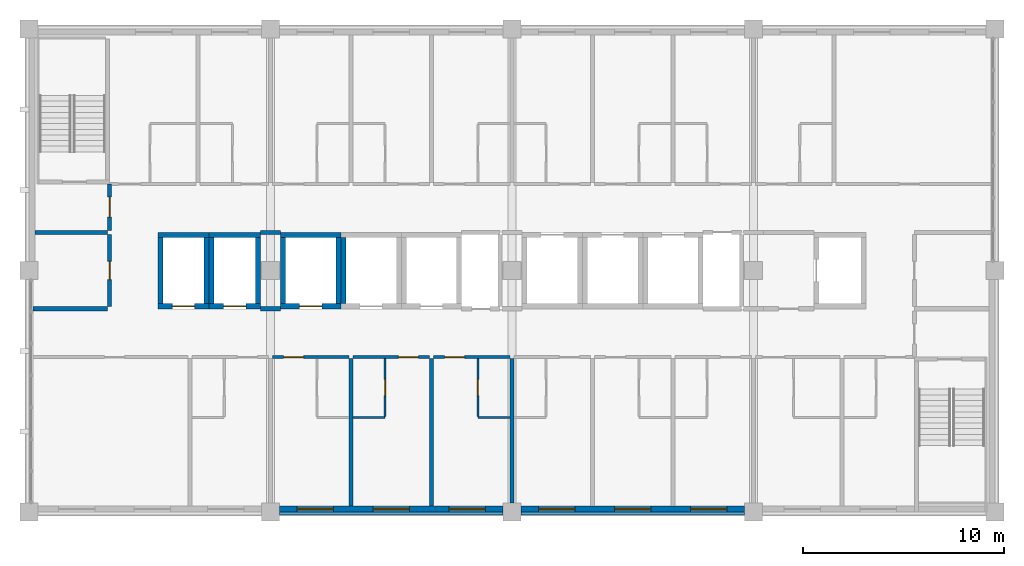
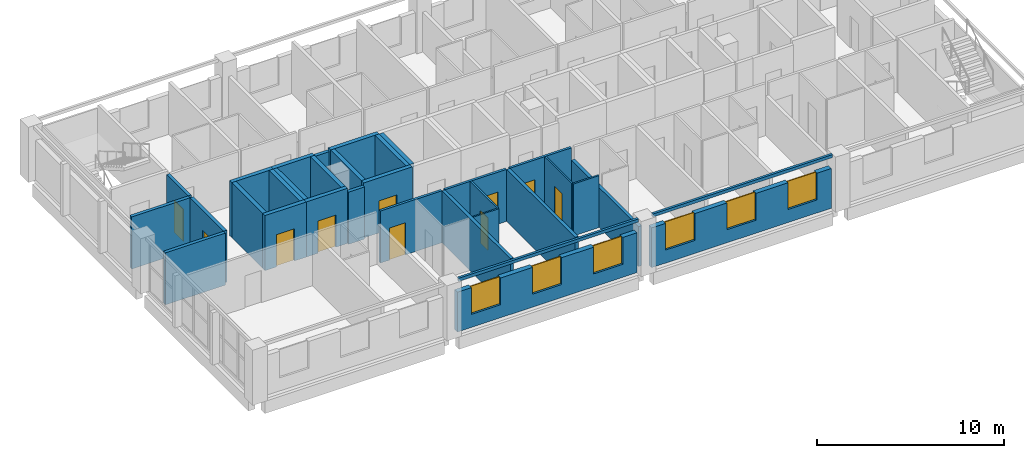
# One storey, part 6 of 11: 33 walls, 10 doors, 6 windows, 16 openings.
"""IFC4 building model written with IfcOpenShell, lengths in metres."""

from ifc_helpers import new_model, si_unit, direction, frame, frame_2d, origin, place, context, subcontext, project, spatial, rectangle, extrude, material, layer, layer_set, type_object, element, fill, save


model = new_model("IFC4")

# Units and contexts
model_context = context("Model", 3, precision=1e-05, world=origin(), true_north=direction((0.0, 1.0)))
body_context = subcontext(model_context, "Body", "Model", "MODEL_VIEW")
ifc_project = project(units=[si_unit("LENGTHUNIT", "METRE"), si_unit("AREAUNIT", "SQUARE_METRE"), si_unit("VOLUMEUNIT", "CUBIC_METRE"), si_unit("PLANEANGLEUNIT", "RADIAN"), si_unit("MASSUNIT", "GRAM", prefix="KILO")], contexts=[model_context])

# Site, building, storey
site_placement = place(None, origin())
site = spatial("IfcSite", under=ifc_project, at=site_placement, CompositionType="ELEMENT")
building_placement = place(site_placement, origin())
building = spatial("IfcBuilding", under=site, at=building_placement, Name="Lilac Gate Convention Centre", CompositionType="ELEMENT")
storey_placement = place(building_placement, frame((0.0, 0.0, 28.199951171875)))
storey = spatial("IfcBuildingStorey", under=building, at=storey_placement, Name="L06", CompositionType="ELEMENT", Elevation=28.199951171875)

# Wall, opening, door
ifc_material_1 = material(Name="Concrete C60", Category="concrete")
ifc_layer_1 = layer(ifc_material_1, 0.25)
ifc_layer_set_1 = layer_set([ifc_layer_1], Name="Concrete C60")
wall_type_1 = type_object("IfcWallType", Name="Core wall 250 C60", PredefinedType="SHEAR", material=ifc_layer_set_1)
wall_1_placement = place(storey_placement, frame((54.5, 232.22509765625, 0.0), z_axis=(0.0, 0.0, 1.0), x_axis=(1.0, 0.0, 0.0)))
wall_1 = element("IfcWall", 1, at=wall_1_placement, inside=storey, type_object=wall_type_1, Name="CRW3 core wall TC L06 1", PredefinedType="SHEAR", context=body_context, shape_type="SweptSolid", body=[
    extrude(rectangle(XDim=3.0, YDim=0.25, at=frame_2d((1.5, 0.0))), origin(), (0.0, 0.0, 1.0), 3.60009765625),
])
opening_1_placement = place(wall_1_placement, frame((0.949951171875, 0.0, 0.0)))
opening_1 = element("IfcOpeningElement", 2, at=opening_1_placement, cuts=wall_1, Name="Opening T04-046", PredefinedType="OPENING", context=body_context, shape_type="SweptSolid", body=[
    extrude(rectangle(XDim=1.10009765625, YDim=2.10009765625, at=frame_2d((0.550048828125, 1.050048828125))), frame((0.0, 0.135009765625, 0.0), z_axis=(0.0, -1.0, 0.0), x_axis=(1.0, 0.0, 0.0)), (0.0, 0.0, 1.0), 0.27001953125),
])
ifc_material_2 = material(Name="Stainless steel 304", Category="steel")
door_type_1 = type_object("IfcDoorType", Name="Lift landing door 1100", OperationType="SLIDING_TO_LEFT", PredefinedType="DOOR", material=ifc_material_2)
door_1_placement = place(opening_1_placement, origin())
door_1 = element("IfcDoor", 3, at=door_1_placement, inside=storey, type_object=door_type_1, Name="Lift landing door TP1 L06", OperationType="SLIDING_TO_LEFT", OverallHeight=2.10009765625, OverallWidth=1.10009765625, PredefinedType="DOOR", context=body_context, shape_type="SweptSolid", body=[
    extrude(rectangle(XDim=1.10009765625, YDim=2.10009765625, at=frame_2d((0.550048828125, 1.050048828125))), frame((0.0, 0.02490234375, 0.0), z_axis=(0.0, -1.0, 0.0), x_axis=(1.0, 0.0, 0.0)), (0.0, 0.0, 1.0), 0.050048828125),
])
fill(opening_1, door_1)

# Walls
wall_2_placement = place(storey_placement, frame((54.5, 235.77490234375, 0.0), z_axis=(0.0, 0.0, 1.0), x_axis=(1.0, 0.0, 0.0)))
element("IfcWall", 4, at=wall_2_placement, inside=storey, type_object=wall_type_1, Name="CRW3 core wall TC L06 2", PredefinedType="SHEAR", context=body_context, shape_type="SweptSolid", body=[
    extrude(rectangle(XDim=3.0, YDim=0.25, at=frame_2d((1.5, 0.0))), origin(), (0.0, 0.0, 1.0), 3.60009765625),
])
for number, where, z_axis, x_axis, name in (
    (5, (54.625, 232.35009765625, 0.0), (0.0, 0.0, 1.0), (0.0, 1.0, 0.0), "CRW3 core wall TC L06 3"),
    (6, (57.375, 232.35009765625, 0.0), (0.0, 0.0, 1.0), (0.0, 1.0, 0.0), "CRW3 core wall TC L06 4"),
    (7, (57.625, 232.35009765625, 0.0), (0.0, 0.0, 1.0), (0.0, 1.0, 0.0), "CRW3 core wall TC L06 7"),
):
    element("IfcWall", number, at=place(storey_placement, frame(where, z_axis=z_axis, x_axis=x_axis)), inside=storey, type_object=wall_type_1, Name=name, PredefinedType="SHEAR", context=body_context, shape_type="SweptSolid", body=[
        extrude(rectangle(XDim=3.2998046875, YDim=0.25, at=frame_2d((1.64990234375, 0.0))), origin(), (0.0, 0.0, 1.0), 3.60009765625),
    ])

# Wall, opening, door
wall_3_placement = place(storey_placement, frame((48.39990234375, 232.22509765625, 0.0), z_axis=(0.0, 0.0, 1.0), x_axis=(1.0, 0.0, 0.0)))
wall_3 = element("IfcWall", 8, at=wall_3_placement, inside=storey, type_object=wall_type_1, Name="CRW3 core wall TC L06 25", PredefinedType="SHEAR", context=body_context, shape_type="SweptSolid", body=[
    extrude(rectangle(XDim=2.550048828125, YDim=0.25, at=frame_2d((1.27490234375, 0.0))), origin(), (0.0, 0.0, 1.0), 3.60009765625),
])
opening_2_placement = place(wall_3_placement, frame((0.72509765625, 0.0, 0.0)))
opening_2 = element("IfcOpeningElement", 9, at=opening_2_placement, cuts=wall_3, Name="Opening T04-052", PredefinedType="OPENING", context=body_context, shape_type="SweptSolid", body=[
    extrude(rectangle(XDim=1.10009765625, YDim=2.10009765625, at=frame_2d((0.550048828125, 1.050048828125))), frame((0.0, 0.135009765625, 0.0), z_axis=(0.0, -1.0, 0.0), x_axis=(1.0, 0.0, 0.0)), (0.0, 0.0, 1.0), 0.27001953125),
])
door_2_placement = place(opening_2_placement, origin())
door_2 = element("IfcDoor", 10, at=door_2_placement, inside=storey, type_object=door_type_1, Name="Lift landing door TS1 L06", OperationType="SLIDING_TO_LEFT", OverallHeight=2.10009765625, OverallWidth=1.10009765625, PredefinedType="DOOR", context=body_context, shape_type="SweptSolid", body=[
    extrude(rectangle(XDim=1.10009765625, YDim=2.10009765625, at=frame_2d((0.550048828125, 1.050048828125))), frame((0.0, 0.02490234375, 0.0), z_axis=(0.0, -1.0, 0.0), x_axis=(1.0, 0.0, 0.0)), (0.0, 0.0, 1.0), 0.050048828125),
])
fill(opening_2, door_2)

# Walls
wall_4_placement = place(storey_placement, frame((48.39990234375, 235.77490234375, 0.0), z_axis=(0.0, 0.0, 1.0), x_axis=(1.0, 0.0, 0.0)))
element("IfcWall", 11, at=wall_4_placement, inside=storey, type_object=wall_type_1, Name="CRW3 core wall TC L06 26", PredefinedType="SHEAR", context=body_context, shape_type="SweptSolid", body=[
    extrude(rectangle(XDim=2.550048828125, YDim=0.25, at=frame_2d((1.27490234375, 0.0))), origin(), (0.0, 0.0, 1.0), 3.60009765625),
])
for number, where, z_axis, x_axis, name in (
    (12, (48.52490234375, 232.35009765625, 0.0), (0.0, 0.0, 1.0), (0.0, 1.0, 0.0), "CRW3 core wall TC L06 27"),
    (13, (50.824951171875, 232.35009765625, 0.0), (0.0, 0.0, 1.0), (0.0, 1.0, 0.0), "CRW3 core wall TC L06 28"),
):
    element("IfcWall", number, at=place(storey_placement, frame(where, z_axis=z_axis, x_axis=x_axis)), inside=storey, type_object=wall_type_1, Name=name, PredefinedType="SHEAR", context=body_context, shape_type="SweptSolid", body=[
        extrude(rectangle(XDim=3.2998046875, YDim=0.25, at=frame_2d((1.64990234375, 0.0))), origin(), (0.0, 0.0, 1.0), 3.60009765625),
    ])

# Wall, opening, door
wall_5_placement = place(storey_placement, frame((50.949951171875, 232.22509765625, 0.0), z_axis=(0.0, 0.0, 1.0), x_axis=(1.0, 0.0, 0.0)))
wall_5 = element("IfcWall", 14, at=wall_5_placement, inside=storey, type_object=wall_type_1, Name="CRW3 core wall TC L06 29", PredefinedType="SHEAR", context=body_context, shape_type="SweptSolid", body=[
    extrude(rectangle(XDim=2.550048828125, YDim=0.25, at=frame_2d((1.27490234375, 0.0))), origin(), (0.0, 0.0, 1.0), 3.60009765625),
])
opening_3_placement = place(wall_5_placement, frame((0.72509765625, 0.0, 0.0)))
opening_3 = element("IfcOpeningElement", 15, at=opening_3_placement, cuts=wall_5, Name="Opening T04-053", PredefinedType="OPENING", context=body_context, shape_type="SweptSolid", body=[
    extrude(rectangle(XDim=1.10009765625, YDim=2.10009765625, at=frame_2d((0.550048828125, 1.050048828125))), frame((0.0, 0.135009765625, 0.0), z_axis=(0.0, -1.0, 0.0), x_axis=(1.0, 0.0, 0.0)), (0.0, 0.0, 1.0), 0.27001953125),
])
door_3_placement = place(opening_3_placement, origin())
door_3 = element("IfcDoor", 16, at=door_3_placement, inside=storey, type_object=door_type_1, Name="Lift landing door TS2 L06", OperationType="SLIDING_TO_LEFT", OverallHeight=2.10009765625, OverallWidth=1.10009765625, PredefinedType="DOOR", context=body_context, shape_type="SweptSolid", body=[
    extrude(rectangle(XDim=1.10009765625, YDim=2.10009765625, at=frame_2d((0.550048828125, 1.050048828125))), frame((0.0, 0.02490234375, 0.0), z_axis=(0.0, -1.0, 0.0), x_axis=(1.0, 0.0, 0.0)), (0.0, 0.0, 1.0), 0.050048828125),
])
fill(opening_3, door_3)

# Walls
wall_6_placement = place(storey_placement, frame((50.949951171875, 235.77490234375, 0.0), z_axis=(0.0, 0.0, 1.0), x_axis=(1.0, 0.0, 0.0)))
element("IfcWall", 17, at=wall_6_placement, inside=storey, type_object=wall_type_1, Name="CRW3 core wall TC L06 30", PredefinedType="SHEAR", context=body_context, shape_type="SweptSolid", body=[
    extrude(rectangle(XDim=2.550048828125, YDim=0.25, at=frame_2d((1.27490234375, 0.0))), origin(), (0.0, 0.0, 1.0), 3.60009765625),
])
for number, where, z_axis, x_axis, name in (
    (18, (51.074951171875, 232.35009765625, 0.0), (0.0, 0.0, 1.0), (0.0, 1.0, 0.0), "CRW3 core wall TC L06 31"),
    (19, (53.375, 232.35009765625, 0.0), (0.0, 0.0, 1.0), (0.0, 1.0, 0.0), "CRW3 core wall TC L06 32"),
):
    element("IfcWall", number, at=place(storey_placement, frame(where, z_axis=z_axis, x_axis=x_axis)), inside=storey, type_object=wall_type_1, Name=name, PredefinedType="SHEAR", context=body_context, shape_type="SweptSolid", body=[
        extrude(rectangle(XDim=3.2998046875, YDim=0.25, at=frame_2d((1.64990234375, 0.0))), origin(), (0.0, 0.0, 1.0), 3.60009765625),
    ])

# Wall, opening, door
ifc_material_3 = material(Name="Gypsum board on steel stud", Category="steel")
ifc_layer_2 = layer(ifc_material_3, 0.14990234375)
ifc_layer_set_2 = layer_set([ifc_layer_2], Name="Gypsum board on steel stud")
wall_type_2 = type_object("IfcWallType", Name="Corridor wall 150", PredefinedType="PARTITIONING", material=ifc_layer_set_2)
wall_7_placement = place(storey_placement, frame((57.89990234375, 229.699951171875, 0.0), z_axis=(0.0, 0.0, 1.0), x_axis=(-1.0, 0.0, 0.0)))
wall_7 = element("IfcWall", 20, at=wall_7_placement, inside=storey, type_object=wall_type_2, Name="Corridor wall 150 front 0603", PredefinedType="PARTITIONING", context=body_context, shape_type="SweptSolid", body=[
    extrude(rectangle(XDim=3.7998046875, YDim=0.14990234375, at=frame_2d((1.89990234375, 0.0))), origin(), (0.0, 0.0, 1.0), 3.400146484375),
])
opening_4_placement = place(wall_7_placement, frame((2.25, 0.0, 0.0)))
opening_4 = element("IfcOpeningElement", 21, at=opening_4_placement, cuts=wall_7, Name="Opening T04-011", PredefinedType="OPENING", context=body_context, shape_type="SweptSolid", body=[
    extrude(rectangle(XDim=1.0, YDim=2.10009765625, at=frame_2d((0.5, 1.050048828125))), frame((0.0, 0.0849609375, 0.0), z_axis=(0.0, -1.0, 0.0), x_axis=(1.0, 0.0, 0.0)), (0.0, 0.0, 1.0), 0.169921875),
])
ifc_material_4 = material(Name="Timber", Category="wood")
door_type_2 = type_object("IfcDoorType", Name="Guest room entrance door 1000", OperationType="SINGLE_SWING_LEFT", PredefinedType="DOOR", material=ifc_material_4)
door_4_placement = place(opening_4_placement, origin())
door_4 = element("IfcDoor", 22, at=door_4_placement, inside=storey, type_object=door_type_2, Name="Guest room door 0603", OperationType="SINGLE_SWING_RIGHT", OverallHeight=2.10009765625, OverallWidth=1.0, PredefinedType="DOOR", context=body_context, shape_type="SweptSolid", body=[
    extrude(rectangle(XDim=1.0, YDim=2.10009765625, at=frame_2d((0.5, 1.050048828125))), frame((0.0, 0.02490234375, 0.0), z_axis=(0.0, -1.0, 0.0), x_axis=(1.0, 0.0, 0.0)), (0.0, 0.0, 1.0), 0.050048828125),
])
fill(opening_4, door_4)

wall_8_placement = place(storey_placement, frame((61.89990234375, 229.699951171875, 0.0), z_axis=(0.0, 0.0, 1.0), x_axis=(-1.0, 0.0, 0.0)))
wall_8 = element("IfcWall", 23, at=wall_8_placement, inside=storey, type_object=wall_type_2, Name="Corridor wall 150 front 0604", PredefinedType="PARTITIONING", context=body_context, shape_type="SweptSolid", body=[
    extrude(rectangle(XDim=3.7998046875, YDim=0.14990234375, at=frame_2d((1.89990234375, 0.0))), origin(), (0.0, 0.0, 1.0), 3.400146484375),
])
opening_5_placement = place(wall_8_placement, frame((0.550048828125, 0.0, 0.0)))
opening_5 = element("IfcOpeningElement", 24, at=opening_5_placement, cuts=wall_8, Name="Opening T04-013", PredefinedType="OPENING", context=body_context, shape_type="SweptSolid", body=[
    extrude(rectangle(XDim=1.0, YDim=2.10009765625, at=frame_2d((0.5, 1.050048828125))), frame((0.0, 0.0849609375, 0.0), z_axis=(0.0, -1.0, 0.0), x_axis=(1.0, 0.0, 0.0)), (0.0, 0.0, 1.0), 0.169921875),
])
door_5_placement = place(opening_5_placement, origin())
door_5 = element("IfcDoor", 25, at=door_5_placement, inside=storey, type_object=door_type_2, Name="Guest room door 0604", OperationType="SINGLE_SWING_LEFT", OverallHeight=2.10009765625, OverallWidth=1.0, PredefinedType="DOOR", context=body_context, shape_type="SweptSolid", body=[
    extrude(rectangle(XDim=1.0, YDim=2.10009765625, at=frame_2d((0.5, 1.050048828125))), frame((0.0, 0.02490234375, 0.0), z_axis=(0.0, -1.0, 0.0), x_axis=(1.0, 0.0, 0.0)), (0.0, 0.0, 1.0), 0.050048828125),
])
fill(opening_5, door_5)

wall_9_placement = place(storey_placement, frame((65.89990234375, 229.699951171875, 0.0), z_axis=(0.0, 0.0, 1.0), x_axis=(-1.0, 0.0, 0.0)))
wall_9 = element("IfcWall", 26, at=wall_9_placement, inside=storey, type_object=wall_type_2, Name="Corridor wall 150 front 0605", PredefinedType="PARTITIONING", context=body_context, shape_type="SweptSolid", body=[
    extrude(rectangle(XDim=3.7998046875, YDim=0.14990234375, at=frame_2d((1.89990234375, 0.0))), origin(), (0.0, 0.0, 1.0), 3.400146484375),
])
opening_6_placement = place(wall_9_placement, frame((2.25, 0.0, 0.0)))
opening_6 = element("IfcOpeningElement", 27, at=opening_6_placement, cuts=wall_9, Name="Opening T04-015", PredefinedType="OPENING", context=body_context, shape_type="SweptSolid", body=[
    extrude(rectangle(XDim=1.0, YDim=2.10009765625, at=frame_2d((0.5, 1.050048828125))), frame((0.0, 0.0849609375, 0.0), z_axis=(0.0, -1.0, 0.0), x_axis=(1.0, 0.0, 0.0)), (0.0, 0.0, 1.0), 0.169921875),
])
door_6_placement = place(opening_6_placement, origin())
door_6 = element("IfcDoor", 28, at=door_6_placement, inside=storey, type_object=door_type_2, Name="Guest room door 0605", OperationType="SINGLE_SWING_LEFT", OverallHeight=2.10009765625, OverallWidth=1.0, PredefinedType="DOOR", context=body_context, shape_type="SweptSolid", body=[
    extrude(rectangle(XDim=1.0, YDim=2.10009765625, at=frame_2d((0.5, 1.050048828125))), frame((0.0, 0.02490234375, 0.0), z_axis=(0.0, -1.0, 0.0), x_axis=(1.0, 0.0, 0.0)), (0.0, 0.0, 1.0), 0.050048828125),
])
fill(opening_6, door_6)

# Wall
ifc_layer_3 = layer(ifc_material_3, 0.10009765625)
ifc_layer_set_3 = layer_set([ifc_layer_3], Name="Gypsum board on steel stud")
wall_type_3 = type_object("IfcWallType", Name="En-suite wall 100", PredefinedType="PARTITIONING", material=ifc_layer_set_3)
wall_10_placement = place(storey_placement, frame((58.10009765625, 226.699951171875, 0.0), z_axis=(0.0, 0.0, 1.0), x_axis=(1.0, 0.0, 0.0)))
element("IfcWall", 29, at=wall_10_placement, inside=storey, type_object=wall_type_3, Name="En-suite wall 100 bath 0604", PredefinedType="PARTITIONING", context=body_context, shape_type="SweptSolid", body=[
    extrude(rectangle(XDim=1.599853515625, YDim=0.10009765625, at=frame_2d((0.7998046875, 0.0))), origin(), (0.0, 0.0, 1.0), 3.400146484375),
])

# Wall, opening, door
wall_11_placement = place(storey_placement, frame((59.699951171875, 229.625, 0.0), z_axis=(0.0, 0.0, 1.0), x_axis=(0.0, -1.0, 0.0)))
wall_11 = element("IfcWall", 30, at=wall_11_placement, inside=storey, type_object=wall_type_3, Name="En-suite wall 100 bath side 0604", PredefinedType="PARTITIONING", context=body_context, shape_type="SweptSolid", body=[
    extrude(rectangle(XDim=2.875, YDim=0.10009765625, at=frame_2d((1.4375, 0.0))), origin(), (0.0, 0.0, 1.0), 3.400146484375),
])
opening_7_placement = place(wall_11_placement, frame((1.03759765625, 0.0, 0.0)))
opening_7 = element("IfcOpeningElement", 31, at=opening_7_placement, cuts=wall_11, Name="Opening T04-014", PredefinedType="OPENING", context=body_context, shape_type="SweptSolid", body=[
    extrude(rectangle(XDim=0.800048828125, YDim=2.10009765625, at=frame_2d((0.39990234375, 1.050048828125))), frame((0.0, 0.06005859375, 0.0), z_axis=(0.0, -1.0, 0.0), x_axis=(1.0, 0.0, 0.0)), (0.0, 0.0, 1.0), 0.1201171875),
])
door_type_3 = type_object("IfcDoorType", Name="En-suite door 800", OperationType="SINGLE_SWING_LEFT", PredefinedType="DOOR", material=ifc_material_4)
door_7_placement = place(opening_7_placement, origin())
door_7 = element("IfcDoor", 32, at=door_7_placement, inside=storey, type_object=door_type_3, Name="En-suite door 0604", OperationType="SINGLE_SWING_LEFT", OverallHeight=2.10009765625, OverallWidth=0.800048828125, PredefinedType="DOOR", context=body_context, shape_type="SweptSolid", body=[
    extrude(rectangle(XDim=0.800048828125, YDim=2.10009765625, at=frame_2d((0.39990234375, 1.050048828125))), frame((0.0, 0.02490234375, 0.0), z_axis=(0.0, -1.0, 0.0), x_axis=(1.0, 0.0, 0.0)), (0.0, 0.0, 1.0), 0.050048828125),
])
fill(opening_7, door_7)

# Wall
wall_12_placement = place(storey_placement, frame((64.300048828125, 226.699951171875, 0.0), z_axis=(0.0, 0.0, 1.0), x_axis=(1.0, 0.0, 0.0)))
element("IfcWall", 33, at=wall_12_placement, inside=storey, type_object=wall_type_3, Name="En-suite wall 100 bath 0605", PredefinedType="PARTITIONING", context=body_context, shape_type="SweptSolid", body=[
    extrude(rectangle(XDim=1.599853515625, YDim=0.10009765625, at=frame_2d((0.7998046875, 0.0))), origin(), (0.0, 0.0, 1.0), 3.400146484375),
])

# Wall, opening, door
wall_13_placement = place(storey_placement, frame((64.300048828125, 226.75, 0.0), z_axis=(0.0, 0.0, 1.0), x_axis=(0.0, 1.0, 0.0)))
wall_13 = element("IfcWall", 34, at=wall_13_placement, inside=storey, type_object=wall_type_3, Name="En-suite wall 100 bath side 0605", PredefinedType="PARTITIONING", context=body_context, shape_type="SweptSolid", body=[
    extrude(rectangle(XDim=2.875, YDim=0.10009765625, at=frame_2d((1.4375, 0.0))), origin(), (0.0, 0.0, 1.0), 3.400146484375),
])
opening_8_placement = place(wall_13_placement, frame((1.03759765625, 0.0, 0.0)))
opening_8 = element("IfcOpeningElement", 35, at=opening_8_placement, cuts=wall_13, Name="Opening T04-016", PredefinedType="OPENING", context=body_context, shape_type="SweptSolid", body=[
    extrude(rectangle(XDim=0.800048828125, YDim=2.10009765625, at=frame_2d((0.39990234375, 1.050048828125))), frame((0.0, 0.06005859375, 0.0), z_axis=(0.0, -1.0, 0.0), x_axis=(1.0, 0.0, 0.0)), (0.0, 0.0, 1.0), 0.1201171875),
])
door_8_placement = place(opening_8_placement, origin())
door_8 = element("IfcDoor", 36, at=door_8_placement, inside=storey, type_object=door_type_3, Name="En-suite door 0605", OperationType="SINGLE_SWING_RIGHT", OverallHeight=2.10009765625, OverallWidth=0.800048828125, PredefinedType="DOOR", context=body_context, shape_type="SweptSolid", body=[
    extrude(rectangle(XDim=0.800048828125, YDim=2.10009765625, at=frame_2d((0.39990234375, 1.050048828125))), frame((0.0, 0.02490234375, 0.0), z_axis=(0.0, -1.0, 0.0), x_axis=(1.0, 0.0, 0.0)), (0.0, 0.0, 1.0), 0.050048828125),
])
fill(opening_8, door_8)

# Walls
ifc_layer_4 = layer(ifc_material_3, 0.199951171875)
ifc_layer_set_4 = layer_set([ifc_layer_4], Name="Gypsum board on steel stud")
wall_type_4 = type_object("IfcWallType", Name="Guest room party wall 200", PredefinedType="PARTITIONING", material=ifc_layer_set_4)
for number, where, z_axis, x_axis, name in (
    (37, (58.0, 222.2998046875, 0.0), (0.0, 0.0, 1.0), (0.0, 1.0, 0.0), "Guest room party wall 200 party 58.0"),
    (38, (62.0, 222.2998046875, 0.0), (0.0, 0.0, 1.0), (0.0, 1.0, 0.0), "Guest room party wall 200 party 62.0"),
):
    element("IfcWall", number, at=place(storey_placement, frame(where, z_axis=z_axis, x_axis=x_axis)), inside=storey, type_object=wall_type_4, Name=name, PredefinedType="PARTITIONING", context=body_context, shape_type="SweptSolid", body=[
        extrude(rectangle(XDim=7.3251953125, YDim=0.199951171875, at=frame_2d((3.66259765625, 0.0))), origin(), (0.0, 0.0, 1.0), 3.400146484375),
    ])
wall_14_placement = place(storey_placement, frame((66.0, 222.449951171875, 0.0), z_axis=(0.0, 0.0, 1.0), x_axis=(0.0, 1.0, 0.0)))
element("IfcWall", 39, at=wall_14_placement, inside=storey, type_object=wall_type_4, Name="Guest room party wall 200 party 66.0", PredefinedType="PARTITIONING", context=body_context, shape_type="SweptSolid", body=[
    extrude(rectangle(XDim=7.175048828125, YDim=0.199951171875, at=frame_2d((3.58740234375, 0.0))), origin(), (0.0, 0.0, 1.0), 2.60009765625),
])

# Wall, opening, door
ifc_layer_5 = layer(ifc_material_3, 0.199951171875)
ifc_layer_set_5 = layer_set([ifc_layer_5], Name="Gypsum board on steel stud")
wall_type_5 = type_object("IfcWallType", Name="Lobby wall 200", PredefinedType="PARTITIONING", material=ifc_layer_set_5)
wall_15_placement = place(storey_placement, frame((46.0, 236.0, 0.0), z_axis=(0.0, 0.0, 1.0), x_axis=(0.0, 1.0, 0.0)))
wall_15 = element("IfcWall", 40, at=wall_15_placement, inside=storey, type_object=wall_type_5, Name="Lobby wall 200 STL-NW-E", PredefinedType="PARTITIONING", context=body_context, shape_type="SweptSolid", body=[
    extrude(rectangle(XDim=2.300048828125, YDim=0.199951171875, at=frame_2d((1.14990234375, 0.0))), origin(), (0.0, 0.0, 1.0), 3.400146484375),
])
opening_9_placement = place(wall_15_placement, frame((0.64990234375, 0.0, 0.0)))
opening_9 = element("IfcOpeningElement", 41, at=opening_9_placement, cuts=wall_15, Name="Opening T04-006", PredefinedType="OPENING", context=body_context, shape_type="SweptSolid", body=[
    extrude(rectangle(XDim=1.0, YDim=2.10009765625, at=frame_2d((0.5, 1.050048828125))), frame((0.0, 0.10986328125, 0.0), z_axis=(0.0, -1.0, 0.0), x_axis=(1.0, 0.0, 0.0)), (0.0, 0.0, 1.0), 0.219970703125),
])
ifc_material_5 = material(Name="Steel Q235B", Category="steel")
door_type_4 = type_object("IfcDoorType", Name="Lobby door 1000", OperationType="SINGLE_SWING_LEFT", PredefinedType="DOOR", material=ifc_material_5)
door_9_placement = place(opening_9_placement, origin())
door_9 = element("IfcDoor", 42, at=door_9_placement, inside=storey, type_object=door_type_4, Name="Stair lobby door NW", OperationType="SINGLE_SWING_LEFT", OverallHeight=2.10009765625, OverallWidth=1.0, PredefinedType="DOOR", context=body_context, shape_type="SweptSolid", body=[
    extrude(rectangle(XDim=1.0, YDim=2.10009765625, at=frame_2d((0.5, 1.050048828125))), frame((0.0, 0.02490234375, 0.0), z_axis=(0.0, -1.0, 0.0), x_axis=(1.0, 0.0, 0.0)), (0.0, 0.0, 1.0), 0.050048828125),
])
fill(opening_9, door_9)

# Walls
ifc_material_6 = material(Name="Concrete C40 precast", Category="concrete")
ifc_layer_6 = layer(ifc_material_6, 0.1298828125)
ifc_material_7 = material(Name="Ochre mineral render")
ifc_layer_7 = layer(ifc_material_7, 0.02001953125)
ifc_layer_set_6 = layer_set([ifc_layer_6, ifc_layer_7], Name="Concrete C40 precast, Ochre mineral render")
wall_type_6 = type_object("IfcWallType", Name="Precast band ochre 150", PredefinedType="STANDARD", material=ifc_layer_set_6)
for number, where, z_axis, x_axis, name in (
    (43, (54.449951171875, 221.925048828125, 3.400146484375), (0.0, 0.0, 1.0), (1.0, 0.0, 0.0), "Precast band S L06 2"),
    (44, (66.449951171875, 221.925048828125, 3.400146484375), (0.0, 0.0, 1.0), (1.0, 0.0, 0.0), "Precast band S L06 3"),
):
    element("IfcWall", number, at=place(storey_placement, frame(where, z_axis=z_axis, x_axis=x_axis)), inside=storey, type_object=wall_type_6, Name=name, PredefinedType="STANDARD", context=body_context, shape_type="SweptSolid", body=[
        extrude(rectangle(XDim=11.10009765625, YDim=0.14990234375, at=frame_2d((5.550048828125, 0.0))), origin(), (0.0, 0.0, 1.0), 0.199951171875),
    ])

# Wall, openings, windows
ifc_layer_8 = layer(ifc_material_7, 0.02001953125)
ifc_layer_9 = layer(ifc_material_6, 0.06005859375)
ifc_material_8 = material(Name="Ventilated air cavity")
ifc_layer_10 = layer(ifc_material_8, 0.030029296875)
ifc_material_9 = material(Name="Mineral wool insulation")
ifc_layer_11 = layer(ifc_material_9, 0.1201171875)
ifc_material_10 = material(Name="Steel stud Q345 and gypsum lining", Category="steel")
ifc_layer_12 = layer(ifc_material_10, 0.070068359375)
ifc_layer_set_7 = layer_set([ifc_layer_8, ifc_layer_9, ifc_layer_10, ifc_layer_11, ifc_layer_12], Name="Ochre mineral render, Concrete C40 precast, Ventilated air cavity, Mineral wool insulation, Steel stud Q345 and gypsum lining")
wall_type_7 = type_object("IfcWallType", Name="Precast panel wall ochre 300", PredefinedType="STANDARD", material=ifc_layer_set_7)
wall_16_placement = place(storey_placement, frame((54.449951171875, 222.14990234375, 0.0), z_axis=(0.0, 0.0, 1.0), x_axis=(1.0, 0.0, 0.0)))
wall_16 = element("IfcWall", 45, at=wall_16_placement, inside=storey, type_object=wall_type_7, Name="External wall S L06 2", PredefinedType="STANDARD", context=body_context, shape_type="SweptSolid", body=[
    extrude(rectangle(XDim=11.10009765625, YDim=0.300048828125, at=frame_2d((5.550048828125, 0.0))), origin(), (0.0, 0.0, 1.0), 2.60009765625),
])
opening_10_placement = place(wall_16_placement, frame((0.875, 0.0, 0.85009765625)))
opening_10 = element("IfcOpeningElement", 46, at=opening_10_placement, cuts=wall_16, Name="Opening W1", PredefinedType="OPENING", context=body_context, shape_type="SweptSolid", body=[
    extrude(rectangle(XDim=1.800048828125, YDim=1.75, at=frame_2d((0.89990234375, 0.875))), frame((0.0, 0.159912109375, 0.0), z_axis=(0.0, -1.0, 0.0), x_axis=(1.0, 0.0, 0.0)), (0.0, 0.0, 1.0), 0.320068359375),
])
opening_11_placement = place(wall_16_placement, frame((4.64990234375, 0.0, 0.85009765625)))
opening_11 = element("IfcOpeningElement", 47, at=opening_11_placement, cuts=wall_16, Name="Opening W1", PredefinedType="OPENING", context=body_context, shape_type="SweptSolid", body=[
    extrude(rectangle(XDim=1.800048828125, YDim=1.75, at=frame_2d((0.89990234375, 0.875))), frame((0.0, 0.159912109375, 0.0), z_axis=(0.0, -1.0, 0.0), x_axis=(1.0, 0.0, 0.0)), (0.0, 0.0, 1.0), 0.320068359375),
])
opening_12_placement = place(wall_16_placement, frame((8.425048828125, 0.0, 0.85009765625)))
opening_12 = element("IfcOpeningElement", 48, at=opening_12_placement, cuts=wall_16, Name="Opening W1", PredefinedType="OPENING", context=body_context, shape_type="SweptSolid", body=[
    extrude(rectangle(XDim=1.800048828125, YDim=1.75, at=frame_2d((0.89990234375, 0.875))), frame((0.0, 0.159912109375, 0.0), z_axis=(0.0, -1.0, 0.0), x_axis=(1.0, 0.0, 0.0)), (0.0, 0.0, 1.0), 0.320068359375),
])
ifc_material_11 = material(Name="Aluminium framed double glazing", Category="aluminium")
window_type = type_object("IfcWindowType", Name="Guest room window 1800 x 1750", PartitioningType="DOUBLE_PANEL_VERTICAL", PredefinedType="WINDOW", material=ifc_material_11)
window_1_placement = place(opening_10_placement, origin())
window_1 = element("IfcWindow", 49, at=window_1_placement, inside=storey, type_object=window_type, Name="Window Guest S L06", OverallHeight=1.75, OverallWidth=1.800048828125, PartitioningType="SINGLE_PANEL", PredefinedType="WINDOW", context=body_context, shape_type="SweptSolid", body=[
    extrude(rectangle(XDim=1.800048828125, YDim=1.75, at=frame_2d((0.89990234375, 0.875))), frame((0.0, 0.030029296875, 0.0), z_axis=(0.0, -1.0, 0.0), x_axis=(1.0, 0.0, 0.0)), (0.0, 0.0, 1.0), 0.06005859375),
])
fill(opening_10, window_1)
window_2_placement = place(opening_11_placement, origin())
window_2 = element("IfcWindow", 50, at=window_2_placement, inside=storey, type_object=window_type, Name="Window Guest S L06", OverallHeight=1.75, OverallWidth=1.800048828125, PartitioningType="SINGLE_PANEL", PredefinedType="WINDOW", context=body_context, shape_type="SweptSolid", body=[
    extrude(rectangle(XDim=1.800048828125, YDim=1.75, at=frame_2d((0.89990234375, 0.875))), frame((0.0, 0.030029296875, 0.0), z_axis=(0.0, -1.0, 0.0), x_axis=(1.0, 0.0, 0.0)), (0.0, 0.0, 1.0), 0.06005859375),
])
fill(opening_11, window_2)
window_3_placement = place(opening_12_placement, origin())
window_3 = element("IfcWindow", 51, at=window_3_placement, inside=storey, type_object=window_type, Name="Window Guest S L06", OverallHeight=1.75, OverallWidth=1.800048828125, PartitioningType="SINGLE_PANEL", PredefinedType="WINDOW", context=body_context, shape_type="SweptSolid", body=[
    extrude(rectangle(XDim=1.800048828125, YDim=1.75, at=frame_2d((0.89990234375, 0.875))), frame((0.0, 0.030029296875, 0.0), z_axis=(0.0, -1.0, 0.0), x_axis=(1.0, 0.0, 0.0)), (0.0, 0.0, 1.0), 0.06005859375),
])
fill(opening_12, window_3)

wall_17_placement = place(storey_placement, frame((66.449951171875, 222.14990234375, 0.0), z_axis=(0.0, 0.0, 1.0), x_axis=(1.0, 0.0, 0.0)))
wall_17 = element("IfcWall", 52, at=wall_17_placement, inside=storey, type_object=wall_type_7, Name="External wall S L06 3", PredefinedType="STANDARD", context=body_context, shape_type="SweptSolid", body=[
    extrude(rectangle(XDim=11.10009765625, YDim=0.300048828125, at=frame_2d((5.550048828125, 0.0))), origin(), (0.0, 0.0, 1.0), 2.60009765625),
])
opening_13_placement = place(wall_17_placement, frame((0.875, 0.0, 0.85009765625)))
opening_13 = element("IfcOpeningElement", 53, at=opening_13_placement, cuts=wall_17, Name="Opening W1", PredefinedType="OPENING", context=body_context, shape_type="SweptSolid", body=[
    extrude(rectangle(XDim=1.800048828125, YDim=1.75, at=frame_2d((0.89990234375, 0.875))), frame((0.0, 0.159912109375, 0.0), z_axis=(0.0, -1.0, 0.0), x_axis=(1.0, 0.0, 0.0)), (0.0, 0.0, 1.0), 0.320068359375),
])
opening_14_placement = place(wall_17_placement, frame((4.64990234375, 0.0, 0.85009765625)))
opening_14 = element("IfcOpeningElement", 54, at=opening_14_placement, cuts=wall_17, Name="Opening W1", PredefinedType="OPENING", context=body_context, shape_type="SweptSolid", body=[
    extrude(rectangle(XDim=1.800048828125, YDim=1.75, at=frame_2d((0.89990234375, 0.875))), frame((0.0, 0.159912109375, 0.0), z_axis=(0.0, -1.0, 0.0), x_axis=(1.0, 0.0, 0.0)), (0.0, 0.0, 1.0), 0.320068359375),
])
opening_15_placement = place(wall_17_placement, frame((8.425048828125, 0.0, 0.85009765625)))
opening_15 = element("IfcOpeningElement", 55, at=opening_15_placement, cuts=wall_17, Name="Opening W1", PredefinedType="OPENING", context=body_context, shape_type="SweptSolid", body=[
    extrude(rectangle(XDim=1.800048828125, YDim=1.75, at=frame_2d((0.89990234375, 0.875))), frame((0.0, 0.159912109375, 0.0), z_axis=(0.0, -1.0, 0.0), x_axis=(1.0, 0.0, 0.0)), (0.0, 0.0, 1.0), 0.320068359375),
])
window_4_placement = place(opening_13_placement, origin())
window_4 = element("IfcWindow", 56, at=window_4_placement, inside=storey, type_object=window_type, Name="Window Guest S L06", OverallHeight=1.75, OverallWidth=1.800048828125, PartitioningType="SINGLE_PANEL", PredefinedType="WINDOW", context=body_context, shape_type="SweptSolid", body=[
    extrude(rectangle(XDim=1.800048828125, YDim=1.75, at=frame_2d((0.89990234375, 0.875))), frame((0.0, 0.030029296875, 0.0), z_axis=(0.0, -1.0, 0.0), x_axis=(1.0, 0.0, 0.0)), (0.0, 0.0, 1.0), 0.06005859375),
])
fill(opening_13, window_4)
window_5_placement = place(opening_14_placement, origin())
window_5 = element("IfcWindow", 57, at=window_5_placement, inside=storey, type_object=window_type, Name="Window Guest S L06", OverallHeight=1.75, OverallWidth=1.800048828125, PartitioningType="SINGLE_PANEL", PredefinedType="WINDOW", context=body_context, shape_type="SweptSolid", body=[
    extrude(rectangle(XDim=1.800048828125, YDim=1.75, at=frame_2d((0.89990234375, 0.875))), frame((0.0, 0.030029296875, 0.0), z_axis=(0.0, -1.0, 0.0), x_axis=(1.0, 0.0, 0.0)), (0.0, 0.0, 1.0), 0.06005859375),
])
fill(opening_14, window_5)
window_6_placement = place(opening_15_placement, origin())
window_6 = element("IfcWindow", 58, at=window_6_placement, inside=storey, type_object=window_type, Name="Window Guest S L06", OverallHeight=1.75, OverallWidth=1.800048828125, PartitioningType="SINGLE_PANEL", PredefinedType="WINDOW", context=body_context, shape_type="SweptSolid", body=[
    extrude(rectangle(XDim=1.800048828125, YDim=1.75, at=frame_2d((0.89990234375, 0.875))), frame((0.0, 0.030029296875, 0.0), z_axis=(0.0, -1.0, 0.0), x_axis=(1.0, 0.0, 0.0)), (0.0, 0.0, 1.0), 0.06005859375),
])
fill(opening_15, window_6)

# Walls
ifc_layer_13 = layer(ifc_material_3, 0.199951171875)
ifc_layer_set_8 = layer_set([ifc_layer_13], Name="Gypsum board on steel stud")
wall_type_8 = type_object("IfcWallType", Name="Riser and store wall 200", PredefinedType="PARTITIONING", material=ifc_layer_set_8)
wall_18_placement = place(storey_placement, frame((42.2001953125, 232.10009765625, 0.0), z_axis=(0.0, 0.0, 1.0), x_axis=(1.0, 0.0, 0.0)))
element("IfcWall", 59, at=wall_18_placement, inside=storey, type_object=wall_type_8, Name="Riser and store wall 200 HKW-S", PredefinedType="PARTITIONING", context=body_context, shape_type="SweptSolid", body=[
    extrude(rectangle(XDim=3.69970703125, YDim=0.199951171875, at=frame_2d((1.849853515625, 0.0))), origin(), (0.0, 0.0, 1.0), 3.400146484375),
])
wall_19_placement = place(storey_placement, frame((53.5, 232.10009765625, 0.0), z_axis=(0.0, 0.0, 1.0), x_axis=(1.0, 0.0, 0.0)))
element("IfcWall", 60, at=wall_19_placement, inside=storey, type_object=wall_type_8, Name="Riser and store wall 200 NICHE1-S", PredefinedType="PARTITIONING", context=body_context, shape_type="SweptSolid", body=[
    extrude(rectangle(XDim=1.0, YDim=0.199951171875, at=frame_2d((0.5, 0.0))), origin(), (0.0, 0.0, 1.0), 3.400146484375),
])
wall_20_placement = place(storey_placement, frame((42.2998046875, 235.89990234375, 0.0), z_axis=(0.0, 0.0, 1.0), x_axis=(1.0, 0.0, 0.0)))
element("IfcWall", 61, at=wall_20_placement, inside=storey, type_object=wall_type_8, Name="Riser and store wall 200 HKW-N", PredefinedType="PARTITIONING", context=body_context, shape_type="SweptSolid", body=[
    extrude(rectangle(XDim=3.60009765625, YDim=0.199951171875, at=frame_2d((1.800048828125, 0.0))), origin(), (0.0, 0.0, 1.0), 3.400146484375),
])
wall_21_placement = place(storey_placement, frame((53.5, 235.89990234375, 0.0), z_axis=(0.0, 0.0, 1.0), x_axis=(1.0, 0.0, 0.0)))
element("IfcWall", 62, at=wall_21_placement, inside=storey, type_object=wall_type_8, Name="Riser and store wall 200 NICHE1-N", PredefinedType="PARTITIONING", context=body_context, shape_type="SweptSolid", body=[
    extrude(rectangle(XDim=1.0, YDim=0.199951171875, at=frame_2d((0.5, 0.0))), origin(), (0.0, 0.0, 1.0), 3.400146484375),
])

# Wall, opening, door
wall_22_placement = place(storey_placement, frame((46.0, 232.199951171875, 0.0), z_axis=(0.0, 0.0, 1.0), x_axis=(0.0, 1.0, 0.0)))
wall_22 = element("IfcWall", 63, at=wall_22_placement, inside=storey, type_object=wall_type_8, Name="Riser and store wall 200 HKW-E", PredefinedType="PARTITIONING", context=body_context, shape_type="SweptSolid", body=[
    extrude(rectangle(XDim=3.60009765625, YDim=0.199951171875, at=frame_2d((1.800048828125, 0.0))), origin(), (0.0, 0.0, 1.0), 3.400146484375),
])
opening_16_placement = place(wall_22_placement, frame((1.35009765625, 0.0, 0.0)))
opening_16 = element("IfcOpeningElement", 64, at=opening_16_placement, cuts=wall_22, Name="Opening T04-001", PredefinedType="OPENING", context=body_context, shape_type="SweptSolid", body=[
    extrude(rectangle(XDim=0.89990234375, YDim=2.10009765625, at=frame_2d((0.449951171875, 1.050048828125))), frame((0.0, 0.10986328125, 0.0), z_axis=(0.0, -1.0, 0.0), x_axis=(1.0, 0.0, 0.0)), (0.0, 0.0, 1.0), 0.219970703125),
])
door_type_5 = type_object("IfcDoorType", Name="Riser and store door 900", OperationType="SINGLE_SWING_LEFT", PredefinedType="DOOR", material=ifc_material_5)
door_10_placement = place(opening_16_placement, origin())
door_10 = element("IfcDoor", 65, at=door_10_placement, inside=storey, type_object=door_type_5, Name="Housekeeping door", OperationType="SINGLE_SWING_LEFT", OverallHeight=2.10009765625, OverallWidth=0.89990234375, PredefinedType="DOOR", context=body_context, shape_type="SweptSolid", body=[
    extrude(rectangle(XDim=0.89990234375, YDim=2.10009765625, at=frame_2d((0.449951171875, 1.050048828125))), frame((0.0, 0.02490234375, 0.0), z_axis=(0.0, -1.0, 0.0), x_axis=(1.0, 0.0, 0.0)), (0.0, 0.0, 1.0), 0.050048828125),
])
fill(opening_16, door_10)

save(model, "model.ifc")
